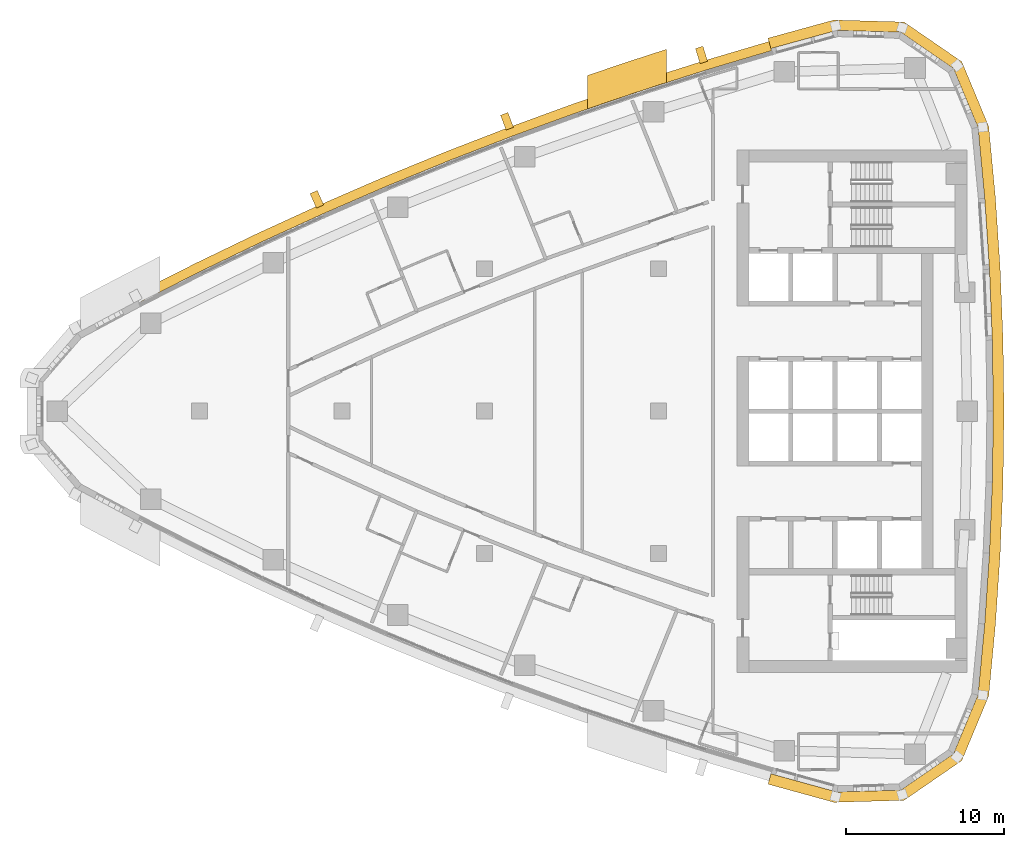
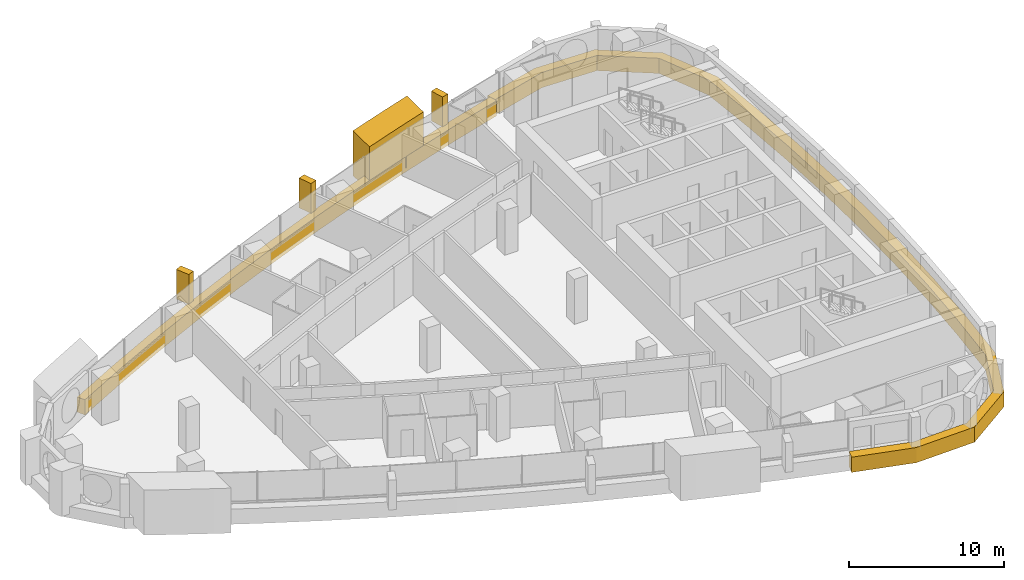
# One storey, part 16 of 17: 6 coverings.
"""IFC4 building model written with IfcOpenShell, lengths in metres."""

import ifcopenshell
import ifcopenshell.guid

model = None  # the IFC model being written
_history = None  # IfcOwnerHistory: only IFC2X3 demands one
_inside = {}  # id of a spatial element -> (the spatial element, [elements in it])
_under = {}  # id of a project, library or spatial element -> (it, [spatial elements below it])
_declared = {}  # id of a project -> (the project, [libraries it declares])
_typed = {}  # id of a type object -> (the type object, [elements of that type])
_made_of = {}  # id of a material, layer set ... -> (it, [elements and type objects made of it])


def new_model(schema):
    """Start an empty IFC model of exactly this schema.

    Asked for "IFC4X3", IfcOpenShell would pick the latest addendum, in which some entities
    have other attributes; the version numbers below select the first issue.
    IFC2X3 requires an IfcOwnerHistory on every rooted entity: one is made here for all.
    """
    global model, _history
    if schema == "IFC4X3":
        model = ifcopenshell.file(schema_version=(4, 3, 0, 0))
    else:
        model = ifcopenshell.file(schema=schema)
    _inside.clear()
    _under.clear()
    _declared.clear()
    _typed.clear()
    _made_of.clear()
    _history = None
    if model.schema == "IFC2X3":
        org = make("IfcOrganization", Name="unknown")
        user = make(
            "IfcPersonAndOrganization",
            ThePerson=make("IfcPerson", FamilyName="unknown"),
            TheOrganization=org,
        )
        app = make(
            "IfcApplication",
            ApplicationDeveloper=org,
            Version="unknown",
            ApplicationFullName="unknown",
            ApplicationIdentifier="unknown",
        )
        _history = make(
            "IfcOwnerHistory",
            OwningUser=user,
            OwningApplication=app,
            ChangeAction="ADDED",
            CreationDate=0,
        )
    return model


def make(cls, **values):
    """One entity of the class cls with the attributes given. An attribute that is None is left unset."""
    return model.create_entity(
        cls, **{name: value for name, value in values.items() if value is not None}
    )


def rooted(cls, **values):
    """An entity with a GlobalId (a new one), such as an element, a storey or a relation."""
    return make(cls, GlobalId=ifcopenshell.guid.new(), OwnerHistory=_history, **values)


def si_unit(unit_type, name, prefix=None):
    """IfcSIUnit, for example si_unit("LENGTHUNIT", "METRE", prefix="MILLI")."""
    return make("IfcSIUnit", UnitType=unit_type, Prefix=prefix, Name=name)


def assignment(units):
    """IfcUnitAssignment: the units of a project."""
    return None if units is None else make("IfcUnitAssignment", Units=units)


def point(xyz):
    """IfcCartesianPoint."""
    return None if xyz is None else make("IfcCartesianPoint", Coordinates=xyz)


def direction(xyz):
    """IfcDirection."""
    return None if xyz is None else make("IfcDirection", DirectionRatios=xyz)


def frame(location, z_axis=None, x_axis=None):
    """IfcAxis2Placement3D, a coordinate frame: its origin and axes. An axis left out is left unset."""
    return make(
        "IfcAxis2Placement3D",
        Location=point(location),
        Axis=direction(z_axis),
        RefDirection=direction(x_axis),
    )


def frame_2d(location, x_axis=None):
    """IfcAxis2Placement2D, a coordinate frame in the plane: its origin and x axis."""
    return make(
        "IfcAxis2Placement2D", Location=point(location), RefDirection=direction(x_axis)
    )


def origin():
    """The frame at (0, 0, 0) with its axes left unset."""
    return frame((0.0, 0.0, 0.0))


def place(relative_to, where):
    """IfcLocalPlacement: puts the frame where relative to a parent placement (None: the world)."""
    return make(
        "IfcLocalPlacement", PlacementRelTo=relative_to, RelativePlacement=where
    )


def context(
    kind, dimensions, precision=None, world=None, true_north=None, identifier=None
):
    """IfcGeometricRepresentationContext, for example the 3D "Model" context."""
    return make(
        "IfcGeometricRepresentationContext",
        ContextIdentifier=identifier,
        ContextType=kind,
        CoordinateSpaceDimension=dimensions,
        Precision=precision,
        WorldCoordinateSystem=world,
        TrueNorth=true_north,
    )


def subcontext(parent, identifier, kind, view, scale=None):
    """IfcGeometricRepresentationSubContext, for example "Body" below "Model"."""
    return make(
        "IfcGeometricRepresentationSubContext",
        ContextIdentifier=identifier,
        ContextType=kind,
        ParentContext=parent,
        TargetScale=scale,
        TargetView=view,
    )


def project(units=None, contexts=None):
    """IfcProject with its units and contexts."""
    return rooted(
        "IfcProject",
        Name="project",
        RepresentationContexts=contexts,
        UnitsInContext=assignment(units),
    )


def spatial(cls, under=None, at=None, **own):
    """A site, building, storey or space (cls), placed at a placement, below another one or the project."""
    s = rooted(cls, ObjectPlacement=at, **own)
    if under is not None:
        _under.setdefault(under.id(), (under, []))[1].append(s)
    return s


def polyline(points):
    """IfcPolyline through the points."""
    return make("IfcPolyline", Points=[point(p) for p in points])


def profile(cls, at=None, kind="AREA", **sizes):
    """A parametric profile (cls). Its sizes go by their IFC names, for example OverallWidth=200.0."""
    return make(cls, ProfileType=kind, Position=at, **sizes)


def rectangle(**sizes):
    """IfcRectangleProfileDef."""
    return profile("IfcRectangleProfileDef", **sizes)


def outline(outer, holes=None, kind="AREA"):
    """IfcArbitraryClosedProfileDef: a profile drawn as a closed curve; with holes, ...WithVoids."""
    if holes is None:
        return make("IfcArbitraryClosedProfileDef", ProfileType=kind, OuterCurve=outer)
    return make(
        "IfcArbitraryProfileDefWithVoids",
        ProfileType=kind,
        OuterCurve=outer,
        InnerCurves=holes,
    )


def extrude(swept, where, along, depth):
    """IfcExtrudedAreaSolid: the profile swept, set in the frame where, extruded along a direction by depth."""
    return make(
        "IfcExtrudedAreaSolid",
        SweptArea=swept,
        Position=where,
        ExtrudedDirection=direction(along),
        Depth=depth,
    )


def shape(context_of_items, identifier, shape_type, items):
    """IfcShapeRepresentation: the items that make up one representation, for example the "Body"."""
    return make(
        "IfcShapeRepresentation",
        ContextOfItems=context_of_items,
        RepresentationIdentifier=identifier,
        RepresentationType=shape_type,
        Items=items,
    )


def material(Name=None, Category=None):
    """IfcMaterial."""
    return make("IfcMaterial", Name=Name, Category=Category)


def layer(
    of_material, thickness, ventilated=None, Name=None, Category=None, Priority=None
):
    """IfcMaterialLayer: one layer of a wall or slab, of a material (None: an air gap)."""
    return make(
        "IfcMaterialLayer",
        Material=of_material,
        LayerThickness=thickness,
        IsVentilated=ventilated,
        Name=Name,
        Category=Category,
        Priority=Priority,
    )


def layer_set(layers, Name=None):
    """IfcMaterialLayerSet."""
    return make("IfcMaterialLayerSet", MaterialLayers=layers, LayerSetName=Name)


def made_of(thing, what):
    """Note that an element or type object is made of a material, layer set ...; save() writes the relation."""
    if what is not None:
        _made_of.setdefault(what.id(), (what, []))[1].append(thing)
    return thing


def type_object(cls, material=None, **own):
    """A type object (cls), such as IfcWallType, which elements share."""
    return made_of(rooted(cls, **own), material)


def element(
    cls,
    number,
    at=None,
    inside=None,
    cuts=None,
    type_object=None,
    material=None,
    context=None,
    identifier="Body",
    shape_type=None,
    held_by="IfcProductDefinitionShape",
    body=None,
    shapes=None,
    **own,
):
    """One element of the class cls, such as IfcWall. Its Tag is "e" and its number.

    at: its placement. inside: the storey or other place that contains it. cuts: it is an
    opening in that element (IfcRelVoidsElement). A single representation is given by context,
    identifier, shape_type and body (its items); several are given by shapes. held_by: the class
    of the entity that holds the representations. save() writes the other relations.
    """
    e = rooted(cls, Tag="e%d" % number, ObjectPlacement=at, **own)
    if body is not None:
        shapes = [shape(context, identifier, shape_type, body)]
    if shapes is not None:
        e.Representation = make(held_by, Representations=shapes)
    if inside is not None:
        _inside.setdefault(inside.id(), (inside, []))[1].append(e)
    if cuts is not None:
        rooted(
            "IfcRelVoidsElement", RelatingBuildingElement=cuts, RelatedOpeningElement=e
        )
    if type_object is not None:
        _typed.setdefault(type_object.id(), (type_object, []))[1].append(e)
    return made_of(e, material)


def aggregate(whole, parts):
    """IfcRelAggregates: a whole, such as a stair, and the parts it consists of."""
    return rooted("IfcRelAggregates", RelatingObject=whole, RelatedObjects=parts)


def save(model, path):
    """Write the relations noted so far, then the file.

    IfcRelAggregates (storeys below a building ...), IfcRelContainedInSpatialStructure (elements
    in a storey), IfcRelDefinesByType, IfcRelAssociatesMaterial and IfcRelDeclares: one each for
    every whole, place, type object, material and project.
    """
    for whole, parts in _under.values():
        aggregate(whole, parts)
    for where, things in _inside.values():
        rooted(
            "IfcRelContainedInSpatialStructure",
            RelatedElements=things,
            RelatingStructure=where,
        )
    for kind, things in _typed.values():
        rooted("IfcRelDefinesByType", RelatedObjects=things, RelatingType=kind)
    for what, things in _made_of.values():
        rooted("IfcRelAssociatesMaterial", RelatedObjects=things, RelatingMaterial=what)
    for by, libraries in _declared.values():
        rooted("IfcRelDeclares", RelatingContext=by, RelatedDefinitions=libraries)
    model.write(path)


model = new_model("IFC4")

# Units and contexts
model_context = context("Model", 3, precision=1e-05, world=origin(), true_north=direction((0.0, 1.0)))
body_context = subcontext(model_context, "Body", "Model", "MODEL_VIEW")
ifc_project = project(units=[si_unit("LENGTHUNIT", "METRE"), si_unit("AREAUNIT", "SQUARE_METRE"), si_unit("VOLUMEUNIT", "CUBIC_METRE"), si_unit("PLANEANGLEUNIT", "RADIAN"), si_unit("MASSUNIT", "GRAM", prefix="KILO")], contexts=[model_context])

# Site, building, storey
site_placement = place(None, origin())
site = spatial("IfcSite", under=ifc_project, at=site_placement, CompositionType="ELEMENT")
building_placement = place(site_placement, origin())
building = spatial("IfcBuilding", under=site, at=building_placement, Name="Ostrand Prow Hotel Tower", CompositionType="ELEMENT")
storey_placement = place(building_placement, frame((0.0, 0.0, 196.800048828125)))
storey = spatial("IfcBuildingStorey", under=building, at=storey_placement, Name="L49", CompositionType="ELEMENT", Elevation=196.800048828125)

# Coverings
ifc_material_1 = material(Name="Bronze anodised aluminium cladding", Category="aluminium")
ifc_layer_1 = layer(ifc_material_1, 0.60009765625)
ifc_layer_set_1 = layer_set([ifc_layer_1], Name="Bronze anodised aluminium cladding")
covering_type_1 = type_object("IfcCoveringType", Name="Bronze spandrel band 1200x600", PredefinedType="CLADDING", material=ifc_layer_set_1)
covering_1_placement = place(storey_placement, frame((0.0, 0.0, -0.300048828125)))
element("IfcCovering", 1, at=covering_1_placement, inside=storey, type_object=covering_type_1, Name="Spandrel band N1", PredefinedType="CLADDING", context=body_context, shape_type="SweptSolid", body=[
    extrude(outline(polyline([(51.9736328125, 23.35009765625), (47.831787109375, 22.12060546875), (43.7158203125, 20.80810546875), (39.626708984375, 19.4130859375), (35.566650390625, 17.93603515625), (31.537353515625, 16.37744140625), (27.5400390625, 14.738037109375), (23.57666015625, 13.0185546875), (19.648681640625, 11.219482421875), (15.757568359375, 9.341796875), (11.9052734375, 7.38623046875), (12.18212890625, 6.85400390625), (16.023681640625, 8.80419921875), (19.90380859375, 10.676513671875), (23.821044921875, 12.470458984375), (27.773193359375, 14.185302734375), (31.759521484375, 15.820068359375), (35.777587890625, 17.374267578125), (39.826171875, 18.84716796875), (43.90380859375, 20.23828125), (48.00830078125, 21.547119140625), (52.138427734375, 22.773193359375), (51.9736328125, 23.35009765625)])), origin(), (0.0, 0.0, 1.0), 1.199951171875),
])
covering_2_placement = place(storey_placement, frame((0.0, 0.0, -0.300048828125)))
element("IfcCovering", 2, at=covering_2_placement, inside=storey, type_object=covering_type_1, Name="Spandrel band back 1", PredefinedType="CLADDING", context=body_context, shape_type="SweptSolid", body=[
    extrude(outline(polyline([(51.9130859375, -23.561767578125), (56.0830078125, -24.708740234375), (60.5087890625, -24.581787109375), (64.15625, -22.072021484375), (65.856201171875, -17.98388671875), (66.27783203125, -13.499267578125), (66.5791015625, -9.0048828125), (66.760009765625, -4.50390625), (66.8203125, 0.0), (66.760009765625, 4.50390625), (66.5791015625, 9.0048828125), (66.27783203125, 13.499267578125), (65.856201171875, 17.98388671875), (64.15625, 22.072021484375), (60.5087890625, 24.581787109375), (56.0830078125, 24.708740234375), (51.9130859375, 23.561767578125), (52.10009765625, 22.907958984375), (56.256591796875, 24.05126953125), (60.297607421875, 23.935302734375), (63.6279296875, 21.643798828125), (65.18017578125, 17.9111328125), (65.60009765625, 13.444580078125), (65.900146484375, 8.968505859375), (66.080078125, 4.48583984375), (66.140380859375, 0.0), (66.080078125, -4.48583984375), (65.900146484375, -8.968505859375), (65.60009765625, -13.444580078125), (65.18017578125, -17.9111328125), (63.6279296875, -21.643798828125), (60.297607421875, -23.935302734375), (56.256591796875, -24.05126953125), (52.10009765625, -22.907958984375), (51.9130859375, -23.561767578125)])), origin(), (0.0, 0.0, 1.0), 1.199951171875),
])
ifc_material_2 = material(Name="Limestone cladding", Category="masonry")
ifc_layer_2 = layer(ifc_material_2, 5.0)
ifc_layer_set_2 = layer_set([ifc_layer_2], Name="Limestone cladding")
covering_type_2 = type_object("IfcCoveringType", Name="Portal jamb pilaster limestone", PredefinedType="CLADDING", material=ifc_layer_set_2)
covering_3_placement = place(storey_placement, origin())
element("IfcCovering", 3, at=covering_3_placement, inside=storey, type_object=covering_type_2, Name="Portal jamb NB L49", PredefinedType="CLADDING", context=body_context, shape_type="SweptSolid", body=[
    extrude(outline(polyline([(40.5, 19.08349609375), (41.5, 19.429443359375), (42.5, 19.769775390625), (43.5, 20.104736328125), (44.5, 20.43408203125), (45.5, 20.75830078125), (45.5, 22.85791015625), (44.5, 22.537109375), (43.5, 22.211181640625), (42.5, 21.879638671875), (41.5, 21.542724609375), (40.5, 21.200439453125), (40.5, 19.08349609375)])), origin(), (0.0, 0.0, 1.0), 3.550048828125),
])
ifc_material_3 = material(Name="Limestone cladding", Category="masonry")
ifc_layer_3 = layer(ifc_material_3, 0.5)
ifc_layer_set_3 = layer_set([ifc_layer_3], Name="Limestone cladding")
covering_type_3 = type_object("IfcCoveringType", Name="Precast stone fin 500x900", PredefinedType="CLADDING", material=ifc_layer_set_3)
covering_4_placement = place(storey_placement, frame((47.861083984375, 22.025146484375, 0.89990234375), z_axis=(0.0, 0.0, 1.0), x_axis=(-0.294017207984, 0.955800126287, 0.0)))
element("IfcCovering", 4, at=covering_4_placement, inside=storey, type_object=covering_type_3, Name="Stone fin N 2", PredefinedType="CLADDING", context=body_context, shape_type="SweptSolid", body=[
    extrude(rectangle(XDim=0.999755859375, YDim=0.5, at=frame_2d((0.5, 0.0))), origin(), (0.0, 0.0, 1.0), 2.35009765625),
])
for number, where, z_axis, x_axis, name in (
    (5, (35.601806640625, 17.84228515625, 0.89990234375), (0.0, 0.0, 1.0), (-0.351310716449, 0.936258928133, 0.0), "Stone fin N 5"),
    (6, (23.6171875, 12.92724609375, 0.89990234375), (0.0, 0.0, 1.0), (-0.407021798392, 0.913418444982, 0.0), "Stone fin N 8"),
):
    element("IfcCovering", number, at=place(storey_placement, frame(where, z_axis=z_axis, x_axis=x_axis)), inside=storey, type_object=covering_type_3, Name=name, PredefinedType="CLADDING", context=body_context, shape_type="SweptSolid", body=[
        extrude(rectangle(XDim=1.0, YDim=0.5, at=frame_2d((0.5, 0.0))), origin(), (0.0, 0.0, 1.0), 2.35009765625),
    ])

save(model, "model.ifc")
